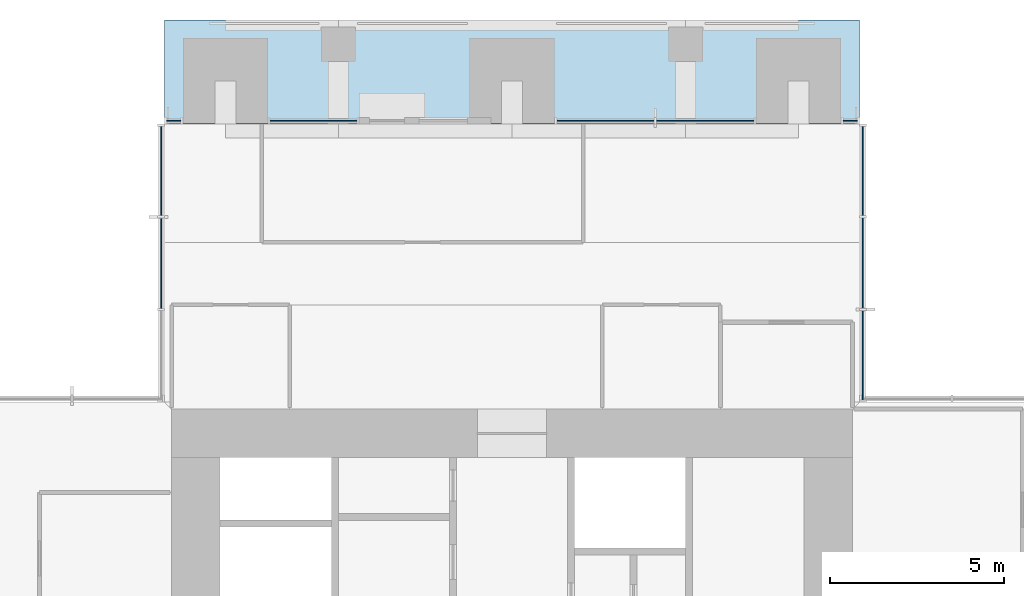
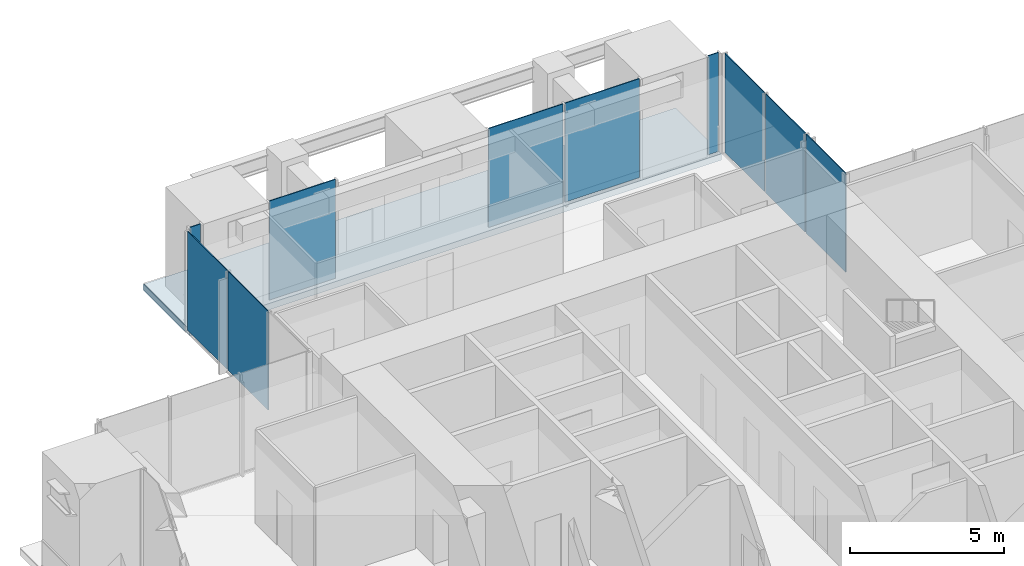
# One storey, part 11 of 17: 10 plates, 1 slab, 6 elements without a shape of their own.
"""IFC4 building model written with IfcOpenShell, lengths in metres."""

from ifc_helpers import new_model, si_unit, direction, frame, origin, origin_2d, place, context, subcontext, project, spatial, polyline, rectangle, outline, extrude, material, layer, layer_set, type_object, element, aggregate, save


model = new_model("IFC4")

# Units and contexts
model_context = context("Model", 3, precision=1e-05, world=origin(), true_north=direction((0.0, 1.0)))
body_context = subcontext(model_context, "Body", "Model", "MODEL_VIEW")
ifc_project = project(units=[si_unit("LENGTHUNIT", "METRE"), si_unit("AREAUNIT", "SQUARE_METRE"), si_unit("VOLUMEUNIT", "CUBIC_METRE"), si_unit("PLANEANGLEUNIT", "RADIAN"), si_unit("MASSUNIT", "GRAM", prefix="KILO")], contexts=[model_context])

# Site, building, storey
site_placement = place(None, origin())
site = spatial("IfcSite", under=ifc_project, at=site_placement, CompositionType="ELEMENT")
building_placement = place(site_placement, origin())
building = spatial("IfcBuilding", under=site, at=building_placement, Name="Svetlomir Tower", CompositionType="ELEMENT")
storey_placement = place(building_placement, frame((0.0, 0.0, 174.5)))
storey = spatial("IfcBuildingStorey", under=building, at=storey_placement, Name="L41", CompositionType="ELEMENT", Elevation=174.5)

# Curtain wall, plates
ifc_material_1 = material(Name="Bronze anodised aluminium curtain wall", Category="aluminium")
curtain_wall_type = type_object("IfcCurtainWallType", Name="CURTAIN WALL CW1 TOWER OFFICE", PredefinedType="NOTDEFINED", material=ifc_material_1)
curtain_wall_1_placement = place(storey_placement, origin())
curtain_wall_1 = element("IfcCurtainWall", 1, at=curtain_wall_1_placement, inside=storey, type_object=curtain_wall_type, Name="Curtain wall CW1 L41", PredefinedType="NOTDEFINED")
ifc_material_2 = material(Name="Tinted double glazed unit", Category="glass")
ifc_layer_1 = layer(ifc_material_2, 0.031982421875)
ifc_layer_set_1 = layer_set([ifc_layer_1], Name="Tinted double glazed unit")
plate_type = type_object("IfcPlateType", Name="CW1 GLAZED PANEL 32", PredefinedType="CURTAIN_PANEL", material=ifc_layer_set_1)
plate_1_placement = place(storey_placement, frame((31.10009765625, 32.349609375, 0.06494140625), z_axis=(0.0, 0.0, 1.0), x_axis=(0.0, 1.0, 0.0)))
plate_1 = element("IfcPlate", 2, at=plate_1_placement, type_object=plate_type, Name="CW1 panel 1.1", PredefinedType="CURTAIN_PANEL", context=body_context, shape_type="SweptSolid", body=[
    extrude(rectangle(XDim=2.569091796875, YDim=0.031982421875, at=origin_2d()), origin(), (0.0, 0.0, 1.0), 3.93505859375),
])
plate_2_placement = place(storey_placement, frame((31.10009765625, 35.0, 0.06494140625), z_axis=(0.0, 0.0, 1.0), x_axis=(0.0, 1.0, 0.0)))
plate_2 = element("IfcPlate", 3, at=plate_2_placement, type_object=plate_type, Name="CW1 panel 2.1", PredefinedType="CURTAIN_PANEL", context=body_context, shape_type="SweptSolid", body=[
    extrude(rectangle(XDim=2.6015625, YDim=0.031982421875, at=origin_2d()), origin(), (0.0, 0.0, 1.0), 3.93505859375),
])
plate_3_placement = place(storey_placement, frame((31.10009765625, 37.650390625, 0.06494140625), z_axis=(0.0, 0.0, 1.0), x_axis=(0.0, 1.0, 0.0)))
plate_3 = element("IfcPlate", 4, at=plate_3_placement, type_object=plate_type, Name="CW1 panel 3.1", PredefinedType="CURTAIN_PANEL", context=body_context, shape_type="SweptSolid", body=[
    extrude(rectangle(XDim=2.569091796875, YDim=0.031982421875, at=origin_2d()), origin(), (0.0, 0.0, 1.0), 3.93505859375),
])
aggregate(curtain_wall_1, [plate_1, plate_2, plate_3])

# Curtain wall, plate
curtain_wall_2_placement = place(storey_placement, origin())
curtain_wall_2 = element("IfcCurtainWall", 5, at=curtain_wall_2_placement, inside=storey, type_object=curtain_wall_type, Name="Curtain wall CW1 L41", PredefinedType="NOTDEFINED")
plate_4_placement = place(storey_placement, frame((30.737548828125, 39.10009765625, 0.06494140625), z_axis=(0.0, 0.0, 1.0), x_axis=(-1.0, 0.0, 0.0)))
plate_4 = element("IfcPlate", 6, at=plate_4_placement, type_object=plate_type, Name="CW1 panel 1.1", PredefinedType="CURTAIN_PANEL", context=body_context, shape_type="SweptSolid", body=[
    extrude(rectangle(XDim=0.39501953125, YDim=0.031982421875, at=origin_2d()), origin(), (0.0, 0.0, 1.0), 3.93505859375),
])
aggregate(curtain_wall_2, [plate_4])

# Curtain wall, plates
curtain_wall_3_placement = place(storey_placement, origin())
curtain_wall_3 = element("IfcCurtainWall", 7, at=curtain_wall_3_placement, inside=storey, type_object=curtain_wall_type, Name="Curtain wall CW1 L41", PredefinedType="NOTDEFINED")
plate_5_placement = place(storey_placement, frame((26.558837890625, 39.10009765625, 0.06494140625), z_axis=(0.0, 0.0, 1.0), x_axis=(-1.0, 0.0, 0.0)))
plate_5 = element("IfcPlate", 8, at=plate_5_placement, type_object=plate_type, Name="CW1 panel 1.1", PredefinedType="CURTAIN_PANEL", context=body_context, shape_type="SweptSolid", body=[
    extrude(rectangle(XDim=2.802490234375, YDim=0.031982421875, at=origin_2d()), origin(), (0.0, 0.0, 1.0), 3.93505859375),
])
plate_6_placement = place(storey_placement, frame((23.691162109375, 39.10009765625, 0.06494140625), z_axis=(0.0, 0.0, 1.0), x_axis=(-1.0, 0.0, 0.0)))
plate_6 = element("IfcPlate", 9, at=plate_6_placement, type_object=plate_type, Name="CW1 panel 2.1", PredefinedType="CURTAIN_PANEL", context=body_context, shape_type="SweptSolid", body=[
    extrude(rectangle(XDim=2.802490234375, YDim=0.031982421875, at=origin_2d()), origin(), (0.0, 0.0, 1.0), 3.93505859375),
])
aggregate(curtain_wall_3, [plate_5, plate_6])

# Curtain wall, plate
curtain_wall_4_placement = place(storey_placement, origin())
curtain_wall_4 = element("IfcCurtainWall", 10, at=curtain_wall_4_placement, inside=storey, type_object=curtain_wall_type, Name="Curtain wall CW1 L41", PredefinedType="NOTDEFINED")
plate_7_placement = place(storey_placement, frame((15.28759765625, 39.10009765625, 0.06494140625), z_axis=(0.0, 0.0, 1.0), x_axis=(-1.0, 0.0, 0.0)))
plate_7 = element("IfcPlate", 11, at=plate_7_placement, type_object=plate_type, Name="CW1 panel 1.1", PredefinedType="CURTAIN_PANEL", context=body_context, shape_type="SweptSolid", body=[
    extrude(rectangle(XDim=2.4951171875, YDim=0.031982421875, at=origin_2d()), origin(), (0.0, 0.0, 1.0), 3.93505859375),
])
aggregate(curtain_wall_4, [plate_7])

curtain_wall_5_placement = place(storey_placement, origin())
curtain_wall_5 = element("IfcCurtainWall", 12, at=curtain_wall_5_placement, inside=storey, type_object=curtain_wall_type, Name="Curtain wall CW1 L41", PredefinedType="NOTDEFINED")
plate_8_placement = place(storey_placement, frame((11.262451171875, 39.10009765625, 0.06494140625), z_axis=(0.0, 0.0, 1.0), x_axis=(-1.0, 0.0, 0.0)))
plate_8 = element("IfcPlate", 13, at=plate_8_placement, type_object=plate_type, Name="CW1 panel 1.1", PredefinedType="CURTAIN_PANEL", context=body_context, shape_type="SweptSolid", body=[
    extrude(rectangle(XDim=0.39501953125, YDim=0.031982421875, at=origin_2d()), origin(), (0.0, 0.0, 1.0), 3.93505859375),
])
aggregate(curtain_wall_5, [plate_8])

# Curtain wall, plates
curtain_wall_6_placement = place(storey_placement, origin())
curtain_wall_6 = element("IfcCurtainWall", 14, at=curtain_wall_6_placement, inside=storey, type_object=curtain_wall_type, Name="Curtain wall CW1 L41", PredefinedType="NOTDEFINED")
plate_9_placement = place(storey_placement, frame((10.89990234375, 37.650390625, 0.06494140625), z_axis=(0.0, 0.0, 1.0), x_axis=(0.0, -1.0, 0.0)))
plate_9 = element("IfcPlate", 15, at=plate_9_placement, type_object=plate_type, Name="CW1 panel 1.1", PredefinedType="CURTAIN_PANEL", context=body_context, shape_type="SweptSolid", body=[
    extrude(rectangle(XDim=2.569091796875, YDim=0.031982421875, at=origin_2d()), origin(), (0.0, 0.0, 1.0), 3.93505859375),
])
plate_10_placement = place(storey_placement, frame((10.89990234375, 35.0, 0.06494140625), z_axis=(0.0, 0.0, 1.0), x_axis=(0.0, -1.0, 0.0)))
plate_10 = element("IfcPlate", 16, at=plate_10_placement, type_object=plate_type, Name="CW1 panel 2.1", PredefinedType="CURTAIN_PANEL", context=body_context, shape_type="SweptSolid", body=[
    extrude(rectangle(XDim=2.6015625, YDim=0.031982421875, at=origin_2d()), origin(), (0.0, 0.0, 1.0), 3.93505859375),
])
aggregate(curtain_wall_6, [plate_9, plate_10])

# Slab
ifc_material_3 = material(Name="Concrete C60/75", Category="concrete")
ifc_layer_2 = layer(ifc_material_3, 0.25)
ifc_layer_set_2 = layer_set([ifc_layer_2], Name="Concrete C60/75")
slab_type = type_object("IfcSlabType", Name="PLANTED LOGGIA SLAB 250", PredefinedType="FLOOR", material=ifc_layer_set_2)
slab_placement = place(storey_placement, frame((0.0, 0.0, -0.25)))
element("IfcSlab", 17, at=slab_placement, inside=storey, type_object=slab_type, Name="L41 N planted loggia", PredefinedType="FLOOR", context=body_context, shape_type="SweptSolid", body=[
    extrude(outline(polyline([(11.0, 39.0), (31.0, 39.0), (31.0, 42.0), (11.0, 42.0), (11.0, 39.0)])), origin(), (0.0, 0.0, 1.0), 0.25),
])

save(model, "model.ifc")
